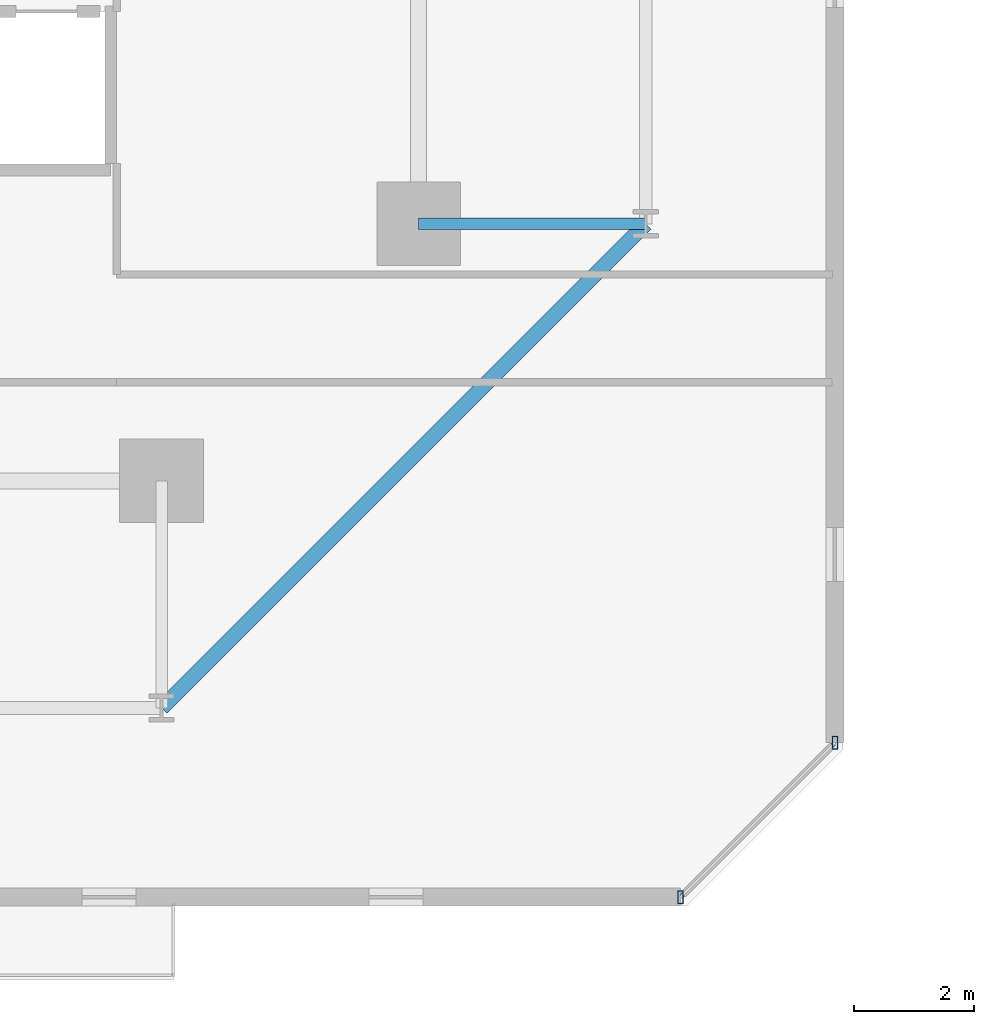
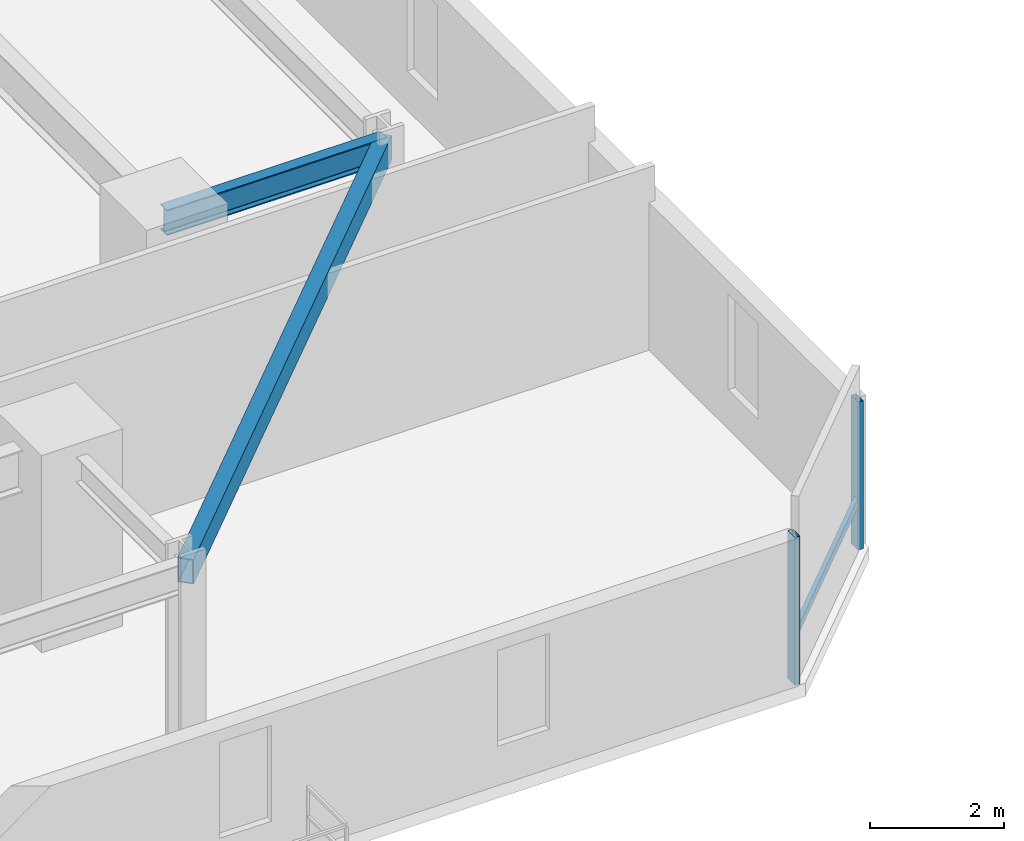
# One storey, part 5 of 34: 3 members, 2 beams, 1 element without a shape of its own.
"""IFC4 building model written with IfcOpenShell, lengths in metres."""

from ifc_helpers import new_model, si_unit, direction, frame, origin, origin_2d, place, context, subcontext, project, spatial, hollow_rectangle, i_section, extrude, material, material_profile, profile_set, type_object, element, aggregate, save


model = new_model("IFC4")

# Units and contexts
model_context = context("Model", 3, precision=1e-05, world=origin(), true_north=direction((0.0, 1.0)))
body_context = subcontext(model_context, "Body", "Model", "MODEL_VIEW")
ifc_project = project(units=[si_unit("LENGTHUNIT", "METRE"), si_unit("AREAUNIT", "SQUARE_METRE"), si_unit("VOLUMEUNIT", "CUBIC_METRE"), si_unit("PLANEANGLEUNIT", "RADIAN"), si_unit("MASSUNIT", "GRAM", prefix="KILO")], contexts=[model_context])

# Site, building, storey
site_placement = place(None, origin())
site = spatial("IfcSite", under=ifc_project, at=site_placement, CompositionType="ELEMENT")
building_placement = place(site_placement, origin())
building = spatial("IfcBuilding", under=site, at=building_placement, Name="Thornwick Lancets Civic Towers", CompositionType="ELEMENT")
storey_placement = place(building_placement, frame((0.0, 0.0, 60.89990234375)))
storey = spatial("IfcBuildingStorey", under=building, at=storey_placement, Name="L15", CompositionType="ELEMENT", Elevation=60.89990234375)

# Beams
ifc_material_1 = material(Name="Steel S355JR", Category="steel")
ifc_material_profile_1 = material_profile(ifc_material_1, i_section(OverallWidth=0.19287109375, OverallDepth=0.46728515625, WebThickness=0.011474609375, FlangeThickness=0.01953125, FilletRadius=0.01025390625, at=origin_2d()), Name="UKB 457x191x98")
ifc_profile_set_1 = profile_set([ifc_material_profile_1], Name="Steel S355JR")
beam_type_1 = type_object("IfcBeamType", Name="BM_JOIST_457_98", PredefinedType="JOIST", material=ifc_profile_set_1)
beam_1_placement = place(storey_placement, frame((42.800048828125, 14.0, 3.12646484375), z_axis=(1.0, 0.0, 0.0), x_axis=(0.0, 1.0, 0.0)))
element("IfcBeam", 1, at=beam_1_placement, inside=storey, type_object=beam_type_1, Name="BM-RAD-L15-A04", PredefinedType="JOIST", context=body_context, shape_type="SweptSolid", body=[
    extrude(i_section(OverallWidth=0.19287109375, OverallDepth=0.46728515625, WebThickness=0.011474609375, FlangeThickness=0.01953125, FilletRadius=0.01025390625, at=origin_2d()), origin(), (0.0, 0.0, 1.0), 3.800048828125),
])
ifc_material_profile_2 = material_profile(ifc_material_1, hollow_rectangle(XDim=0.25, YDim=0.449951171875, WallThickness=0.01611328125, at=origin_2d()), Name="RHS 450x250x16")
ifc_profile_set_2 = profile_set([ifc_material_profile_2], Name="Steel S355JR")
beam_type_2 = type_object("IfcBeamType", Name="BM_RING_RHS450", PredefinedType="BEAM", material=ifc_profile_set_2)
beam_2_placement = place(storey_placement, frame((38.5, 5.89990234375, 3.135009765625), z_axis=(0.707106781187, 0.707106781187, 0.0), x_axis=(-0.707106781187, 0.707106781187, 0.0)))
element("IfcBeam", 2, at=beam_2_placement, inside=storey, type_object=beam_type_2, Name="BM-CHAMF-L15-A-C0", PredefinedType="BEAM", context=body_context, shape_type="SweptSolid", body=[
    extrude(hollow_rectangle(XDim=0.25, YDim=0.449951171875, WallThickness=0.01611328125, at=origin_2d()), origin(), (0.0, 0.0, 1.0), 11.455322265625),
])

# Curtain wall, members
ifc_material_2 = material(Name="Low-zone chamfered-corner unitised glass curtain wall", Category="glass")
curtain_wall_type = type_object("IfcCurtainWallType", Name="CW_SYS_03", PredefinedType="NOTDEFINED", material=ifc_material_2)
curtain_wall_placement = place(storey_placement, origin())
curtain_wall = element("IfcCurtainWall", 3, at=curtain_wall_placement, inside=storey, type_object=curtain_wall_type, Name="L15 Curtain Wall CW-L15-A-E1", PredefinedType="NOTDEFINED")
ifc_material_3 = material(Name="Thermally broken bronze aluminium S355", Category="steel")
ifc_material_profile_3 = material_profile(ifc_material_3, hollow_rectangle(XDim=0.090087890625, YDim=0.219970703125, WallThickness=0.00634765625, at=origin_2d()), Name="RHS 220x90x6.3")
ifc_profile_set_3 = profile_set([ifc_material_profile_3], Name="Thermally broken bronze aluminium S355")
member_type_1 = type_object("IfcMemberType", Name="CW_MUL_220", PredefinedType="MULLION", material=ifc_profile_set_3)
member_1_placement = place(storey_placement, frame((47.18115234375, 2.735107421875, 0.0), z_axis=(0.0, 0.0, 1.0), x_axis=(1.0, 0.0, 0.0)))
member_1 = element("IfcMember", 4, at=member_1_placement, type_object=member_type_1, Name="CW-L15-A-E1 Mullion 0", PredefinedType="MULLION", context=body_context, shape_type="SweptSolid", body=[
    extrude(hollow_rectangle(XDim=0.090087890625, YDim=0.219970703125, WallThickness=0.00634765625, at=origin_2d()), origin(), (0.0, 0.0, 1.0), 2.7001953125),
])
member_2_placement = place(storey_placement, frame((49.764892578125, 5.31884765625, 0.0), z_axis=(0.0, 0.0, 1.0), x_axis=(1.0, 0.0, 0.0)))
member_2 = element("IfcMember", 5, at=member_2_placement, type_object=member_type_1, Name="CW-L15-A-E1 Mullion 1", PredefinedType="MULLION", context=body_context, shape_type="SweptSolid", body=[
    extrude(hollow_rectangle(XDim=0.090087890625, YDim=0.219970703125, WallThickness=0.00634765625, at=origin_2d()), origin(), (0.0, 0.0, 1.0), 2.7001953125),
])
ifc_material_profile_4 = material_profile(ifc_material_3, hollow_rectangle(XDim=0.074951171875, YDim=0.14990234375, WallThickness=0.0048828125, at=origin_2d()), Name="RHS 150x75x5")
ifc_profile_set_4 = profile_set([ifc_material_profile_4], Name="Thermally broken bronze aluminium S355")
member_type_2 = type_object("IfcMemberType", Name="CW_TRN_150", PredefinedType="USERDEFINED", material=ifc_profile_set_4)
member_3_placement = place(storey_placement, frame((47.1953125, 2.749267578125, 0.85009765625), z_axis=(0.707106781187, 0.707106781187, 0.0), x_axis=(-0.707106781187, 0.707106781187, 0.0)))
member_3 = element("IfcMember", 6, at=member_3_placement, type_object=member_type_2, Name="CW-L15-A-E1 Transom 0", ObjectType="TRANSOM", PredefinedType="USERDEFINED", context=body_context, shape_type="SweptSolid", body=[
    extrude(hollow_rectangle(XDim=0.074951171875, YDim=0.14990234375, WallThickness=0.0048828125, at=origin_2d()), origin(), (0.0, 0.0, 1.0), 3.614013671875),
])
aggregate(curtain_wall, [member_1, member_2, member_3])

save(model, "model.ifc")
